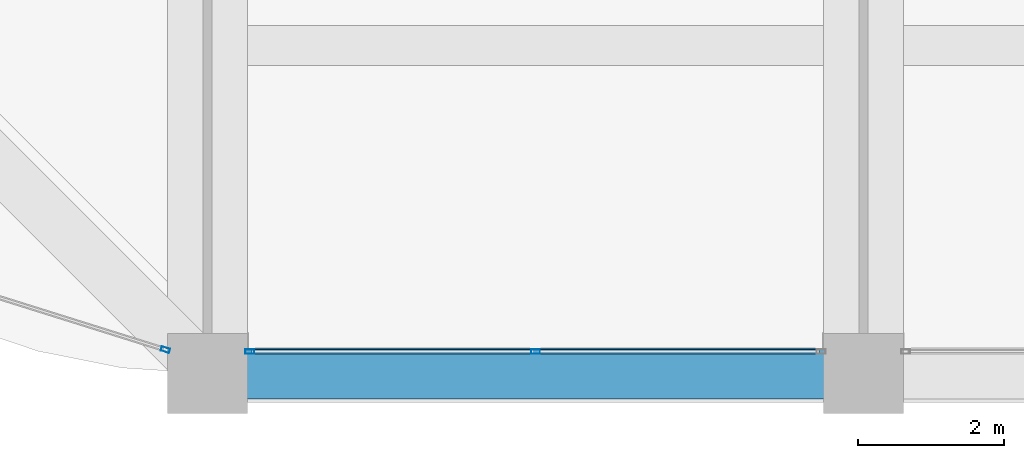
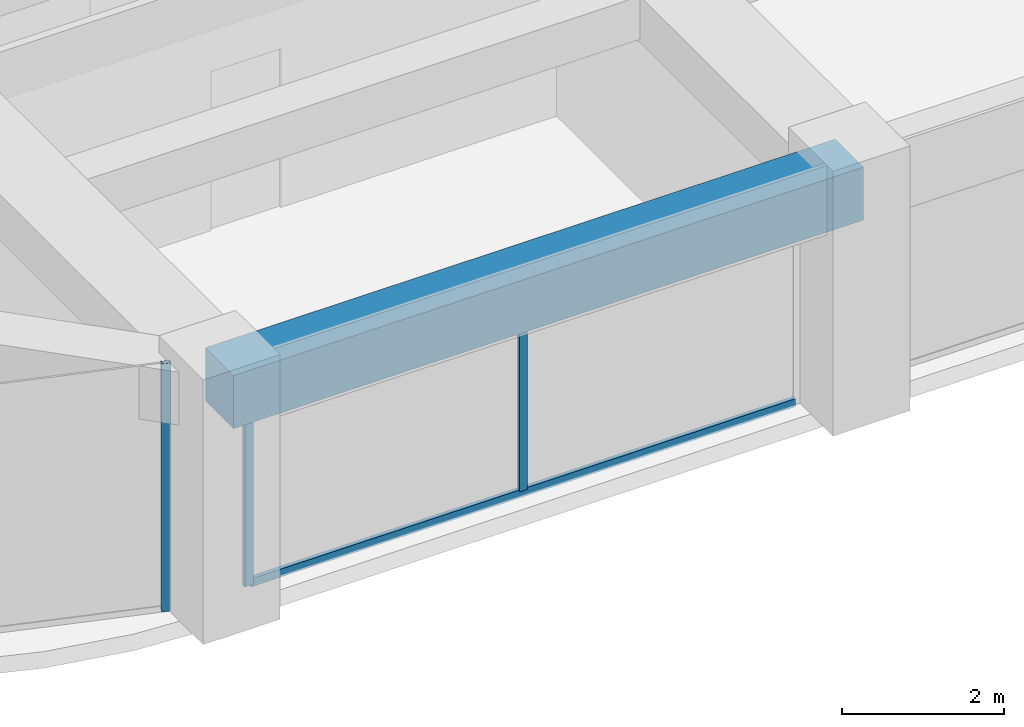
# One storey, part 4 of 44: 4 members, 1 beam, 2 elements without a shape of their own.
"""IFC4 building model written with IfcOpenShell, lengths in metres."""

from ifc_helpers import new_model, si_unit, direction, frame, origin, origin_2d, place, context, subcontext, project, spatial, rectangle, hollow_rectangle, extrude, material, material_profile, profile_set, type_object, element, aggregate, save


model = new_model("IFC4")

# Units and contexts
model_context = context("Model", 3, precision=1e-05, world=origin(), true_north=direction((0.0, 1.0)))
body_context = subcontext(model_context, "Body", "Model", "MODEL_VIEW")
ifc_project = project(units=[si_unit("LENGTHUNIT", "METRE"), si_unit("AREAUNIT", "SQUARE_METRE"), si_unit("VOLUMEUNIT", "CUBIC_METRE"), si_unit("PLANEANGLEUNIT", "RADIAN"), si_unit("MASSUNIT", "GRAM", prefix="KILO")], contexts=[model_context])

# Site, building, storey
site_placement = place(None, origin())
site = spatial("IfcSite", under=ifc_project, at=site_placement, CompositionType="ELEMENT")
building_placement = place(site_placement, origin())
building = spatial("IfcBuilding", under=site, at=building_placement, Name="Zorevar Civic Tower", CompositionType="ELEMENT")
storey_placement = place(building_placement, frame((0.0, 0.0, 287.39990234375)))
storey = spatial("IfcBuildingStorey", under=building, at=storey_placement, Name="L70", CompositionType="ELEMENT", Elevation=287.39990234375)

# Curtain wall, members
ifc_material_1 = material(Name="Dark grey solar-control glass in black aluminium frame", Category="aluminium")
curtain_wall_type = type_object("IfcCurtainWallType", Name="Curtain wall CW5 top zone", PredefinedType="NOTDEFINED", material=ifc_material_1)
curtain_wall_1_placement = place(storey_placement, origin())
curtain_wall_1 = element("IfcCurtainWall", 1, at=curtain_wall_1_placement, inside=storey, type_object=curtain_wall_type, Name="CW5 L70", PredefinedType="NOTDEFINED")
ifc_material_2 = material(Name="Aluminium, black anodised", Category="aluminium")
ifc_material_profile_1 = material_profile(ifc_material_2, hollow_rectangle(XDim=0.06005859375, YDim=0.1201171875, WallThickness=0.0029296875, at=origin_2d()), Name="AL 120x60x3")
ifc_profile_set_1 = profile_set([ifc_material_profile_1], Name="Aluminium, black anodised")
member_type_1 = type_object("IfcMemberType", Name="CW5 mullion AL 120x60x3", PredefinedType="MULLION", material=ifc_profile_set_1)
member_1_placement = place(storey_placement, frame((18.580078125, 0.300048828125, 0.0), z_axis=(0.0, 0.0, 1.0), x_axis=(0.0, 1.0, 0.0)))
member_1 = element("IfcMember", 2, at=member_1_placement, type_object=member_type_1, Name="CW5 mullion 1", PredefinedType="MULLION", context=body_context, shape_type="SweptSolid", body=[
    extrude(hollow_rectangle(XDim=0.06005859375, YDim=0.1201171875, WallThickness=0.0029296875, at=origin_2d()), origin(), (0.0, 0.0, 1.0), 2.9501953125),
])
member_2_placement = place(storey_placement, frame((22.5, 0.300048828125, 0.06005859375), z_axis=(0.0, 0.0, 1.0), x_axis=(0.0, 1.0, 0.0)))
member_2 = element("IfcMember", 3, at=member_2_placement, type_object=member_type_1, Name="CW5 mullion 2", PredefinedType="MULLION", context=body_context, shape_type="SweptSolid", body=[
    extrude(hollow_rectangle(XDim=0.06005859375, YDim=0.1201171875, WallThickness=0.0029296875, at=origin_2d()), origin(), (0.0, 0.0, 1.0), 2.89013671875),
])

# Curtain wall, member
curtain_wall_2_placement = place(storey_placement, origin())
curtain_wall_2 = element("IfcCurtainWall", 4, at=curtain_wall_2_placement, inside=storey, type_object=curtain_wall_type, Name="CW5 L70", PredefinedType="NOTDEFINED")
member_3_placement = place(storey_placement, frame((17.42138671875, 0.326416015625, 0.0), z_axis=(0.0, 0.0, 1.0), x_axis=(0.299317920238, 0.954153437674, 0.0)))
member_3 = element("IfcMember", 5, at=member_3_placement, type_object=member_type_1, Name="CW5 mullion 2", PredefinedType="MULLION", context=body_context, shape_type="SweptSolid", body=[
    extrude(hollow_rectangle(XDim=0.06005859375, YDim=0.1201171875, WallThickness=0.0029296875, at=origin_2d()), origin(), (0.0, 0.0, 1.0), 3.75),
])
aggregate(curtain_wall_2, [member_3])

# Member
ifc_material_3 = material(Name="Aluminium, black anodised", Category="aluminium")
ifc_material_profile_2 = material_profile(ifc_material_3, hollow_rectangle(XDim=0.06005859375, YDim=0.1201171875, WallThickness=0.0029296875, at=origin_2d()), Name="AL 120x60x3")
ifc_profile_set_2 = profile_set([ifc_material_profile_2], Name="Aluminium, black anodised")
member_type_2 = type_object("IfcMemberType", Name="CW5 transom AL 120x60x3", PredefinedType="USERDEFINED", material=ifc_profile_set_2)
member_4_placement = place(storey_placement, frame((18.610107421875, 0.300048828125, 0.030029296875), z_axis=(1.0, 0.0, 0.0), x_axis=(0.0, 1.0, 0.0)))
member_4 = element("IfcMember", 6, at=member_4_placement, type_object=member_type_2, Name="CW5 sill transom", ObjectType="TRANSOM", PredefinedType="USERDEFINED", context=body_context, shape_type="SweptSolid", body=[
    extrude(hollow_rectangle(XDim=0.06005859375, YDim=0.1201171875, WallThickness=0.0029296875, at=origin_2d()), origin(), (0.0, 0.0, 1.0), 7.77978515625),
])

aggregate(curtain_wall_1, [member_1, member_2, member_4])

# Beam
ifc_material_4 = material(Name="Concrete C50/60", Category="concrete")
ifc_material_profile_3 = material_profile(ifc_material_4, rectangle(XDim=0.699951171875, YDim=0.800048828125, at=origin_2d()), Name="RC 700x800")
ifc_profile_set_3 = profile_set([ifc_material_profile_3], Name="Concrete C50/60")
beam_type = type_object("IfcBeamType", Name="Edge beam RC 700x800", PredefinedType="SPANDREL", material=ifc_profile_set_3)
beam_placement = place(storey_placement, frame((18.0, 0.0, 3.35009765625), z_axis=(1.0, 0.0, 0.0), x_axis=(0.0, 1.0, 0.0)))
element("IfcBeam", 7, at=beam_placement, inside=storey, type_object=beam_type, Name="Edge beam L71", PredefinedType="SPANDREL", context=body_context, shape_type="SweptSolid", body=[
    extrude(rectangle(XDim=0.699951171875, YDim=0.800048828125, at=origin_2d()), origin(), (0.0, 0.0, 1.0), 9.0),
])

save(model, "model.ifc")
